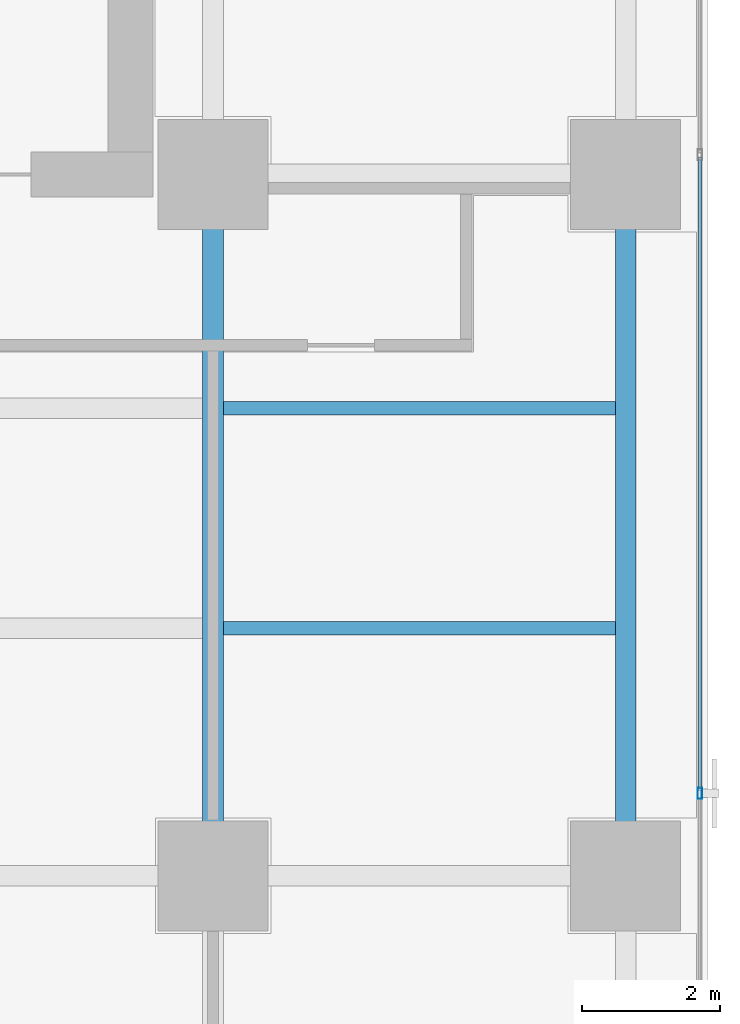
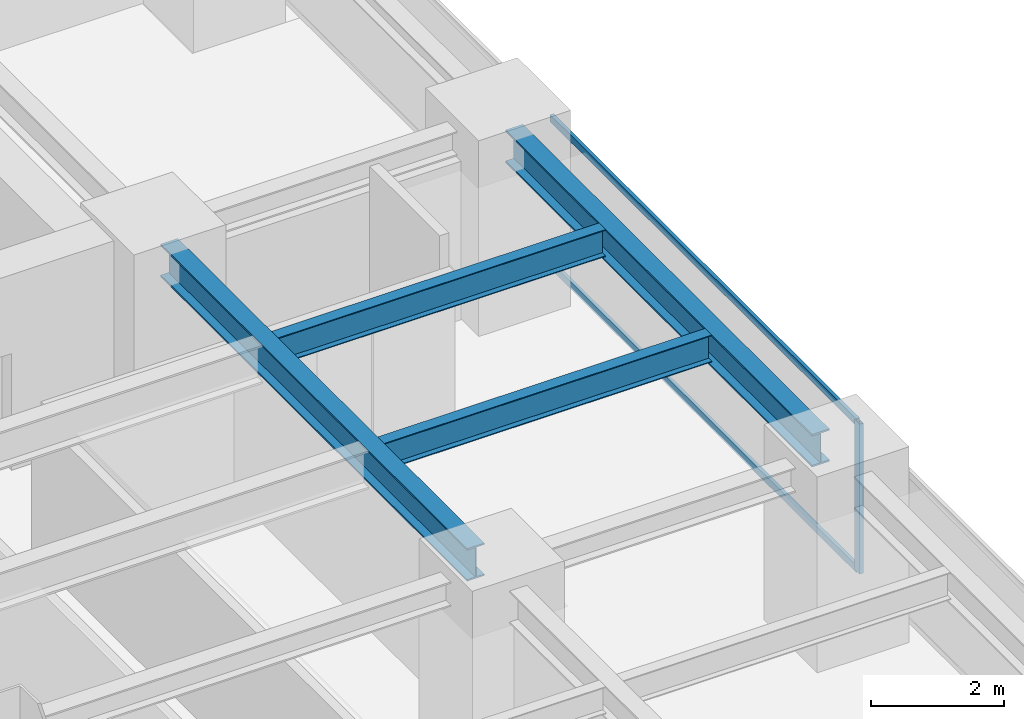
# One storey, part 13 of 27: 4 beams, 3 members, 1 element without a shape of its own.
"""IFC4 building model written with IfcOpenShell, lengths in metres."""

from ifc_helpers import new_model, si_unit, direction, frame, origin, origin_2d, place, context, subcontext, project, spatial, hollow_rectangle, i_section, extrude, source, transform, mapped, material, layer, layer_set, material_profile, profile_set, type_object, element, aggregate, save


model = new_model("IFC4")

# Units and contexts
model_context = context("Model", 3, precision=1e-05, world=origin(), true_north=direction((0.0, 1.0)))
body_context = subcontext(model_context, "Body", "Model", "MODEL_VIEW")
ifc_project = project(units=[si_unit("LENGTHUNIT", "METRE"), si_unit("AREAUNIT", "SQUARE_METRE"), si_unit("VOLUMEUNIT", "CUBIC_METRE"), si_unit("PLANEANGLEUNIT", "RADIAN"), si_unit("MASSUNIT", "GRAM", prefix="KILO")], contexts=[model_context])

# Site, building, storey
site_placement = place(None, origin())
site = spatial("IfcSite", under=ifc_project, at=site_placement, CompositionType="ELEMENT")
building_placement = place(site_placement, origin())
building = spatial("IfcBuilding", under=site, at=building_placement, Name="Sumidabori Civic Tower", CompositionType="ELEMENT")
storey_placement = place(building_placement, frame((0.0, 0.0, 156.800048828125)))
storey = spatial("IfcBuildingStorey", under=building, at=storey_placement, Name="L40", CompositionType="ELEMENT", Elevation=156.800048828125)

# Beams
ifc_material_1 = material(Name="Steel SN490", Category="steel")
ifc_material_profile_1 = material_profile(ifc_material_1, i_section(OverallWidth=0.300048828125, OverallDepth=0.60009765625, WebThickness=0.015380859375, FlangeThickness=0.030029296875, at=origin_2d()), Name="HE 600 B")
ifc_profile_set_1 = profile_set([ifc_material_profile_1], Name="Steel SN490")
beam_type_1 = type_object("IfcBeamType", Name="BM-GIRD-600", PredefinedType="BEAM", material=ifc_profile_set_1)
shared_shape_1 = source(origin(), body_context, "Body", "SweptSolid", [
    extrude(i_section(OverallWidth=0.300048828125, OverallDepth=0.60009765625, WebThickness=0.015380859375, FlangeThickness=0.030029296875, at=origin_2d()), origin(), (0.0, 0.0, 1.0), 9.239990234375),
])
for number, where, z_axis, x_axis, name in (
    (1, (16.800048828125, 0.47998046875, 3.079833984375), (0.0, 1.0, 0.0), (-1.0, 0.0, 0.0), "Primary Girder L40 GY-34"),
    (2, (22.800048828125, 0.47998046875, 3.079833984375), (0.0, 1.0, 0.0), (-1.0, 0.0, 0.0), "Primary Girder L40 GY-37"),
):
    element("IfcBeam", number, at=place(storey_placement, frame(where, z_axis=z_axis, x_axis=x_axis)), inside=storey, type_object=beam_type_1, Name=name, PredefinedType="BEAM", context=body_context, shape_type="MappedRepresentation", body=[
        mapped(shared_shape_1, transform((0.0, 0.0, 0.0), x_axis=(1.0, 0.0, 0.0), y_axis=(0.0, 1.0, 0.0), z_axis=(0.0, 0.0, 1.0), scale=1.0)),
    ])
ifc_material_profile_2 = material_profile(ifc_material_1, i_section(OverallWidth=0.199951171875, OverallDepth=0.5, WebThickness=0.01025390625, FlangeThickness=0.01611328125, at=origin_2d()), Name="IPE 500")
ifc_profile_set_2 = profile_set([ifc_material_profile_2], Name="Steel SN490")
beam_type_2 = type_object("IfcBeamType", Name="BM-JST-500", PredefinedType="JOIST", material=ifc_profile_set_2)
shared_shape_2 = source(origin(), body_context, "Body", "SweptSolid", [
    extrude(i_section(OverallWidth=0.199951171875, OverallDepth=0.5, WebThickness=0.01025390625, FlangeThickness=0.01611328125, at=origin_2d()), origin(), (0.0, 0.0, 1.0), 5.699951171875),
])
for number, where, z_axis, x_axis, name in (
    (3, (16.949951171875, 3.60009765625, 3.1298828125), (1.0, 0.0, 0.0), (0.0, 1.0, 0.0), "Outer Bay Floor Joist L40 JSTO-44"),
    (4, (16.949951171875, 6.800048828125, 3.1298828125), (1.0, 0.0, 0.0), (0.0, 1.0, 0.0), "Outer Bay Floor Joist L40 JSTO-46"),
):
    element("IfcBeam", number, at=place(storey_placement, frame(where, z_axis=z_axis, x_axis=x_axis)), inside=storey, type_object=beam_type_2, Name=name, PredefinedType="JOIST", context=body_context, shape_type="MappedRepresentation", body=[
        mapped(shared_shape_2, transform((0.0, 0.0, 0.0), x_axis=(1.0, 0.0, 0.0), y_axis=(0.0, 1.0, 0.0), z_axis=(0.0, 0.0, 1.0), scale=1.0)),
    ])

# Curtain wall, members
ifc_material_2 = material(Name="Anodised Bronze Aluminium AW-6063-T6", Category="aluminium")
ifc_layer = layer(ifc_material_2, 0.179931640625, Name="Anodised Bronze Aluminium AW-6063-T6")
ifc_layer_set = layer_set([ifc_layer], Name="Anodised Bronze Aluminium AW-6063-T6")
curtain_wall_type = type_object("IfcCurtainWallType", Name="CW-SYS-3", PredefinedType="NOTDEFINED", material=ifc_layer_set)
curtain_wall_placement = place(storey_placement, origin())
curtain_wall = element("IfcCurtainWall", 5, at=curtain_wall_placement, inside=storey, type_object=curtain_wall_type, Name="Curtain Wall CW:L40:R04", PredefinedType="NOTDEFINED")
ifc_material_profile_3 = material_profile(ifc_material_2, hollow_rectangle(XDim=0.06494140625, YDim=0.159912109375, WallThickness=0.0048828125, at=origin_2d()), Name="ALU MULLION 160x65")
ifc_profile_set_3 = profile_set([ifc_material_profile_3], Name="Anodised Bronze Aluminium AW-6063-T6")
member_type_1 = type_object("IfcMemberType", Name="CW-MUL-160", PredefinedType="MULLION", material=ifc_profile_set_3)
shared_shape_3 = source(origin(), body_context, "Body", "SweptSolid", [
    extrude(hollow_rectangle(XDim=0.06494140625, YDim=0.159912109375, WallThickness=0.0048828125, at=origin_2d()), origin(), (0.0, 0.0, 1.0), 2.760009765625),
])
member_1_placement = place(storey_placement, frame((23.8798828125, 1.199951171875, 0.0), z_axis=(0.0, 0.0, 1.0), x_axis=(-1.0, 0.0, 0.0)))
member_1 = element("IfcMember", 6, at=member_1_placement, type_object=member_type_1, Name="CW-3 mullion 3", PredefinedType="MULLION", context=body_context, shape_type="MappedRepresentation", body=[
    mapped(shared_shape_3, transform((0.0, 0.0, 0.0), x_axis=(1.0, 0.0, 0.0), y_axis=(0.0, 1.0, 0.0), z_axis=(0.0, 0.0, 1.0), scale=1.0)),
])
ifc_material_profile_4 = material_profile(ifc_material_2, hollow_rectangle(XDim=0.06005859375, YDim=0.1298828125, WallThickness=0.0048828125, at=origin_2d()), Name="ALU TRANSOM 130x60")
ifc_profile_set_4 = profile_set([ifc_material_profile_4], Name="Anodised Bronze Aluminium AW-6063-T6")
member_type_2 = type_object("IfcMemberType", Name="CW-TRN-130", PredefinedType="USERDEFINED", material=ifc_profile_set_4)
shared_shape_4 = source(origin(), body_context, "Body", "SweptSolid", [
    extrude(hollow_rectangle(XDim=0.06005859375, YDim=0.1298828125, WallThickness=0.0048828125, at=origin_2d()), origin(), (0.0, 0.0, 1.0), 9.219970703125),
])
member_2_placement = place(storey_placement, frame((23.8798828125, 1.232421875, 0.030029296875), z_axis=(0.0, 1.0, 0.0), x_axis=(-1.0, 0.0, 0.0)))
member_2 = element("IfcMember", 7, at=member_2_placement, type_object=member_type_2, Name="CW-3 transom 3.1", ObjectType="TRANSOM", PredefinedType="USERDEFINED", context=body_context, shape_type="MappedRepresentation", body=[
    mapped(shared_shape_4, transform((0.0, 0.0, 0.0), x_axis=(1.0, 0.0, 0.0), y_axis=(0.0, 1.0, 0.0), z_axis=(0.0, 0.0, 1.0), scale=1.0)),
])
member_3_placement = place(storey_placement, frame((23.8798828125, 1.232421875, 2.72998046875), z_axis=(0.0, 1.0, 0.0), x_axis=(-1.0, 0.0, 0.0)))
member_3 = element("IfcMember", 8, at=member_3_placement, type_object=member_type_2, Name="CW-3 transom 3.2", ObjectType="TRANSOM", PredefinedType="USERDEFINED", context=body_context, shape_type="MappedRepresentation", body=[
    mapped(shared_shape_4, transform((0.0, 0.0, 0.0), x_axis=(1.0, 0.0, 0.0), y_axis=(0.0, 1.0, 0.0), z_axis=(0.0, 0.0, 1.0), scale=1.0)),
])
aggregate(curtain_wall, [member_1, member_2, member_3])

save(model, "model.ifc")
